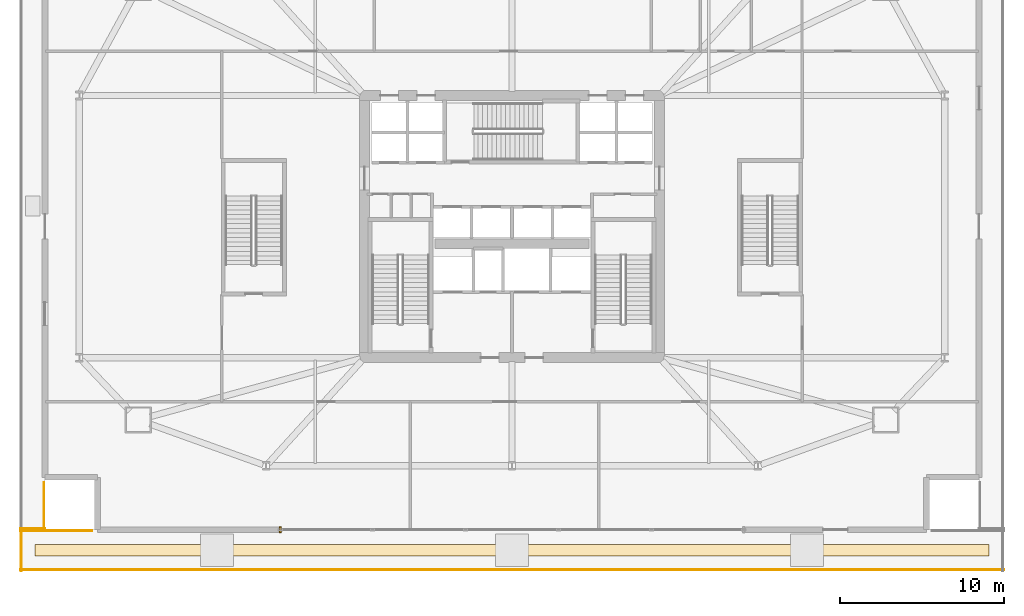
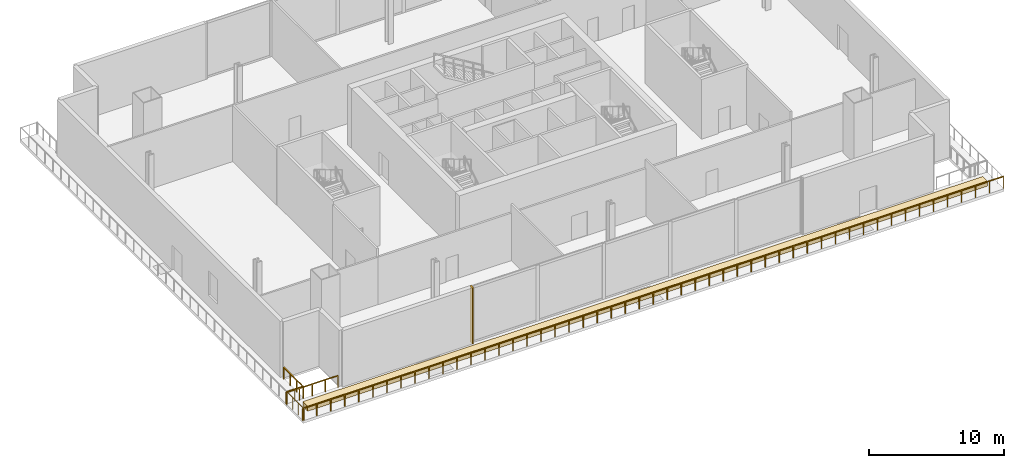
# One storey, part 15 of 20: 5 railings, 2 coverings.
"""IFC4 building model written with IfcOpenShell, lengths in metres."""

from ifc_helpers import new_model, si_unit, direction, frame, origin, origin_2d, place, context, subcontext, project, spatial, polyline, rectangle, outline, extrude, source, transform, mapped, material, layer, layer_set, type_object, element, save


model = new_model("IFC4")

# Units and contexts
model_context = context("Model", 3, precision=1e-05, world=origin(), true_north=direction((0.0, 1.0)))
body_context = subcontext(model_context, "Body", "Model", "MODEL_VIEW")
ifc_project = project(units=[si_unit("LENGTHUNIT", "METRE"), si_unit("AREAUNIT", "SQUARE_METRE"), si_unit("VOLUMEUNIT", "CUBIC_METRE"), si_unit("PLANEANGLEUNIT", "RADIAN"), si_unit("MASSUNIT", "GRAM", prefix="KILO")], contexts=[model_context])

# Site, building, storey
site_placement = place(None, origin())
site = spatial("IfcSite", under=ifc_project, at=site_placement, CompositionType="ELEMENT")
building_placement = place(site_placement, origin())
building = spatial("IfcBuilding", under=site, at=building_placement, Name="Haldenkirk Collegiate Tower", CompositionType="ELEMENT")
storey_placement = place(building_placement, frame((0.0, 0.0, 11.39990234375)))
storey = spatial("IfcBuildingStorey", under=building, at=storey_placement, Name="L02", CompositionType="ELEMENT", Elevation=11.39990234375)

# Covering
ifc_material_1 = material(Name="Precast concrete f'c 40 MPa", Category="concrete")
ifc_layer_1 = layer(ifc_material_1, 0.449951171875)
ifc_layer_set_1 = layer_set([ifc_layer_1], Name="Precast concrete f'c 40 MPa")
covering_type_1 = type_object("IfcCoveringType", Name="COV-PLANTER-450", PredefinedType="USERDEFINED", material=ifc_layer_set_1)
covering_1_placement = place(storey_placement, origin())
element("IfcCovering", 1, at=covering_1_placement, inside=storey, type_object=covering_type_1, Name="L02 planted garden planter bed", ObjectType="PLANTER", PredefinedType="USERDEFINED", context=body_context, shape_type="SweptSolid", body=[
    extrude(outline(polyline([(6.89990234375, 5.89990234375), (6.89990234375, 6.60009765625), (65.10009765625, 6.60009765625), (65.10009765625, 5.89990234375), (6.89990234375, 5.89990234375)])), origin(), (0.0, 0.0, 1.0), 0.4501953125),
])

# Railings
ifc_material_2 = material(Name="Anodised architectural bronze aluminium", Category="aluminium")
railing_type = type_object("IfcRailingType", Name="RLG-TERR-BALUSTRADE-1100", PredefinedType="BALUSTRADE", material=ifc_material_2)
railing_1_placement = place(storey_placement, frame((6.0, 5.06005859375, 0.0)))
element("IfcRailing", 2, at=railing_1_placement, inside=storey, type_object=railing_type, Name="L02 terrace guard balustrade 1-1", PredefinedType="BALUSTRADE", context=body_context, shape_type="SweptSolid", body=[
    extrude(rectangle(XDim=0.048095703125, YDim=0.048095703125, at=origin_2d()), frame((0.0, 0.0, 1.076171875), z_axis=(1.0, 0.0, 0.0), x_axis=(0.0, 1.0, 0.0)), (0.0, 0.0, 1.0), 60.0),
    extrude(rectangle(XDim=0.0419921875, YDim=0.0419921875, at=origin_2d()), origin(), (0.0, 0.0, 1.0), 1.052001953125),
    extrude(rectangle(XDim=0.0419921875, YDim=0.0419921875, at=origin_2d()), frame((1.199951171875, 0.0, 0.0)), (0.0, 0.0, 1.0), 1.052001953125),
    extrude(rectangle(XDim=0.0419921875, YDim=0.0419921875, at=origin_2d()), frame((2.39990234375, 0.0, 0.0)), (0.0, 0.0, 1.0), 1.052001953125),
    extrude(rectangle(XDim=0.0419921875, YDim=0.0419921875, at=origin_2d()), frame((3.60009765625, 0.0, 0.0)), (0.0, 0.0, 1.0), 1.052001953125),
    extrude(rectangle(XDim=0.0419921875, YDim=0.0419921875, at=origin_2d()), frame((4.800048828125, 0.0, 0.0)), (0.0, 0.0, 1.0), 1.052001953125),
    extrude(rectangle(XDim=0.0419921875, YDim=0.0419921875, at=origin_2d()), frame((6.0, 0.0, 0.0)), (0.0, 0.0, 1.0), 1.052001953125),
    extrude(rectangle(XDim=0.0419921875, YDim=0.0419921875, at=origin_2d()), frame((7.199951171875, 0.0, 0.0)), (0.0, 0.0, 1.0), 1.052001953125),
    extrude(rectangle(XDim=0.0419921875, YDim=0.0419921875, at=origin_2d()), frame((8.39990234375, 0.0, 0.0)), (0.0, 0.0, 1.0), 1.052001953125),
    extrude(rectangle(XDim=0.0419921875, YDim=0.0419921875, at=origin_2d()), frame((9.60009765625, 0.0, 0.0)), (0.0, 0.0, 1.0), 1.052001953125),
    extrude(rectangle(XDim=0.0419921875, YDim=0.0419921875, at=origin_2d()), frame((10.800048828125, 0.0, 0.0)), (0.0, 0.0, 1.0), 1.052001953125),
    extrude(rectangle(XDim=0.0419921875, YDim=0.0419921875, at=origin_2d()), frame((12.0, 0.0, 0.0)), (0.0, 0.0, 1.0), 1.052001953125),
    extrude(rectangle(XDim=0.0419921875, YDim=0.0419921875, at=origin_2d()), frame((13.199951171875, 0.0, 0.0)), (0.0, 0.0, 1.0), 1.052001953125),
    extrude(rectangle(XDim=0.0419921875, YDim=0.0419921875, at=origin_2d()), frame((14.39990234375, 0.0, 0.0)), (0.0, 0.0, 1.0), 1.052001953125),
    extrude(rectangle(XDim=0.0419921875, YDim=0.0419921875, at=origin_2d()), frame((15.60009765625, 0.0, 0.0)), (0.0, 0.0, 1.0), 1.052001953125),
    extrude(rectangle(XDim=0.0419921875, YDim=0.0419921875, at=origin_2d()), frame((16.800048828125, 0.0, 0.0)), (0.0, 0.0, 1.0), 1.052001953125),
    extrude(rectangle(XDim=0.0419921875, YDim=0.0419921875, at=origin_2d()), frame((18.0, 0.0, 0.0)), (0.0, 0.0, 1.0), 1.052001953125),
    extrude(rectangle(XDim=0.0419921875, YDim=0.0419921875, at=origin_2d()), frame((19.199951171875, 0.0, 0.0)), (0.0, 0.0, 1.0), 1.052001953125),
    extrude(rectangle(XDim=0.0419921875, YDim=0.0419921875, at=origin_2d()), frame((20.39990234375, 0.0, 0.0)), (0.0, 0.0, 1.0), 1.052001953125),
    extrude(rectangle(XDim=0.0419921875, YDim=0.0419921875, at=origin_2d()), frame((21.60009765625, 0.0, 0.0)), (0.0, 0.0, 1.0), 1.052001953125),
    extrude(rectangle(XDim=0.0419921875, YDim=0.0419921875, at=origin_2d()), frame((22.800048828125, 0.0, 0.0)), (0.0, 0.0, 1.0), 1.052001953125),
    extrude(rectangle(XDim=0.0419921875, YDim=0.0419921875, at=origin_2d()), frame((24.0, 0.0, 0.0)), (0.0, 0.0, 1.0), 1.052001953125),
    extrude(rectangle(XDim=0.0419921875, YDim=0.0419921875, at=origin_2d()), frame((25.199951171875, 0.0, 0.0)), (0.0, 0.0, 1.0), 1.052001953125),
    extrude(rectangle(XDim=0.0419921875, YDim=0.0419921875, at=origin_2d()), frame((26.39990234375, 0.0, 0.0)), (0.0, 0.0, 1.0), 1.052001953125),
    extrude(rectangle(XDim=0.0419921875, YDim=0.0419921875, at=origin_2d()), frame((27.60009765625, 0.0, 0.0)), (0.0, 0.0, 1.0), 1.052001953125),
    extrude(rectangle(XDim=0.0419921875, YDim=0.0419921875, at=origin_2d()), frame((28.800048828125, 0.0, 0.0)), (0.0, 0.0, 1.0), 1.052001953125),
    extrude(rectangle(XDim=0.0419921875, YDim=0.0419921875, at=origin_2d()), frame((30.0, 0.0, 0.0)), (0.0, 0.0, 1.0), 1.052001953125),
    extrude(rectangle(XDim=0.0419921875, YDim=0.0419921875, at=origin_2d()), frame((31.199951171875, 0.0, 0.0)), (0.0, 0.0, 1.0), 1.052001953125),
    extrude(rectangle(XDim=0.0419921875, YDim=0.0419921875, at=origin_2d()), frame((32.39990234375, 0.0, 0.0)), (0.0, 0.0, 1.0), 1.052001953125),
    extrude(rectangle(XDim=0.0419921875, YDim=0.0419921875, at=origin_2d()), frame((33.60009765625, 0.0, 0.0)), (0.0, 0.0, 1.0), 1.052001953125),
    extrude(rectangle(XDim=0.0419921875, YDim=0.0419921875, at=origin_2d()), frame((34.800048828125, 0.0, 0.0)), (0.0, 0.0, 1.0), 1.052001953125),
    extrude(rectangle(XDim=0.0419921875, YDim=0.0419921875, at=origin_2d()), frame((36.0, 0.0, 0.0)), (0.0, 0.0, 1.0), 1.052001953125),
    extrude(rectangle(XDim=0.0419921875, YDim=0.0419921875, at=origin_2d()), frame((37.199951171875, 0.0, 0.0)), (0.0, 0.0, 1.0), 1.052001953125),
    extrude(rectangle(XDim=0.0419921875, YDim=0.0419921875, at=origin_2d()), frame((38.39990234375, 0.0, 0.0)), (0.0, 0.0, 1.0), 1.052001953125),
    extrude(rectangle(XDim=0.0419921875, YDim=0.0419921875, at=origin_2d()), frame((39.60009765625, 0.0, 0.0)), (0.0, 0.0, 1.0), 1.052001953125),
    extrude(rectangle(XDim=0.0419921875, YDim=0.0419921875, at=origin_2d()), frame((40.800048828125, 0.0, 0.0)), (0.0, 0.0, 1.0), 1.052001953125),
    extrude(rectangle(XDim=0.0419921875, YDim=0.0419921875, at=origin_2d()), frame((42.0, 0.0, 0.0)), (0.0, 0.0, 1.0), 1.052001953125),
    extrude(rectangle(XDim=0.0419921875, YDim=0.0419921875, at=origin_2d()), frame((43.199951171875, 0.0, 0.0)), (0.0, 0.0, 1.0), 1.052001953125),
    extrude(rectangle(XDim=0.0419921875, YDim=0.0419921875, at=origin_2d()), frame((44.39990234375, 0.0, 0.0)), (0.0, 0.0, 1.0), 1.052001953125),
    extrude(rectangle(XDim=0.0419921875, YDim=0.0419921875, at=origin_2d()), frame((45.60009765625, 0.0, 0.0)), (0.0, 0.0, 1.0), 1.052001953125),
    extrude(rectangle(XDim=0.0419921875, YDim=0.0419921875, at=origin_2d()), frame((46.800048828125, 0.0, 0.0)), (0.0, 0.0, 1.0), 1.052001953125),
    extrude(rectangle(XDim=0.0419921875, YDim=0.0419921875, at=origin_2d()), frame((48.0, 0.0, 0.0)), (0.0, 0.0, 1.0), 1.052001953125),
    extrude(rectangle(XDim=0.0419921875, YDim=0.0419921875, at=origin_2d()), frame((49.199951171875, 0.0, 0.0)), (0.0, 0.0, 1.0), 1.052001953125),
    extrude(rectangle(XDim=0.0419921875, YDim=0.0419921875, at=origin_2d()), frame((50.39990234375, 0.0, 0.0)), (0.0, 0.0, 1.0), 1.052001953125),
    extrude(rectangle(XDim=0.0419921875, YDim=0.0419921875, at=origin_2d()), frame((51.60009765625, 0.0, 0.0)), (0.0, 0.0, 1.0), 1.052001953125),
    extrude(rectangle(XDim=0.0419921875, YDim=0.0419921875, at=origin_2d()), frame((52.800048828125, 0.0, 0.0)), (0.0, 0.0, 1.0), 1.052001953125),
    extrude(rectangle(XDim=0.0419921875, YDim=0.0419921875, at=origin_2d()), frame((54.0, 0.0, 0.0)), (0.0, 0.0, 1.0), 1.052001953125),
    extrude(rectangle(XDim=0.0419921875, YDim=0.0419921875, at=origin_2d()), frame((55.199951171875, 0.0, 0.0)), (0.0, 0.0, 1.0), 1.052001953125),
    extrude(rectangle(XDim=0.0419921875, YDim=0.0419921875, at=origin_2d()), frame((56.39990234375, 0.0, 0.0)), (0.0, 0.0, 1.0), 1.052001953125),
    extrude(rectangle(XDim=0.0419921875, YDim=0.0419921875, at=origin_2d()), frame((57.60009765625, 0.0, 0.0)), (0.0, 0.0, 1.0), 1.052001953125),
    extrude(rectangle(XDim=0.0419921875, YDim=0.0419921875, at=origin_2d()), frame((58.800048828125, 0.0, 0.0)), (0.0, 0.0, 1.0), 1.052001953125),
    extrude(rectangle(XDim=0.0419921875, YDim=0.0419921875, at=origin_2d()), frame((60.0, 0.0, 0.0)), (0.0, 0.0, 1.0), 1.052001953125),
])
railing_2_placement = place(storey_placement, frame((10.3798828125, 7.43994140625, 0.0)))
element("IfcRailing", 3, at=railing_2_placement, inside=storey, type_object=railing_type, Name="L02 terrace guard balustrade 3-2", PredefinedType="BALUSTRADE", context=body_context, shape_type="SweptSolid", body=[
    extrude(rectangle(XDim=0.048095703125, YDim=0.048095703125, at=origin_2d()), frame((0.0, 0.0, 1.076171875), z_axis=(-1.0, 0.0, 0.0), x_axis=(0.0, -1.0, 0.0)), (0.0, 0.0, 1.0), 4.3798828125),
    extrude(rectangle(XDim=0.0419921875, YDim=0.0419921875, at=origin_2d()), origin(), (0.0, 0.0, 1.0), 1.052001953125),
    extrude(rectangle(XDim=0.0419921875, YDim=0.0419921875, at=origin_2d()), frame((-1.094970703125, 0.0, 0.0)), (0.0, 0.0, 1.0), 1.052001953125),
    extrude(rectangle(XDim=0.0419921875, YDim=0.0419921875, at=origin_2d()), frame((-2.18994140625, 0.0, 0.0)), (0.0, 0.0, 1.0), 1.052001953125),
    extrude(rectangle(XDim=0.0419921875, YDim=0.0419921875, at=origin_2d()), frame((-3.284912109375, 0.0, 0.0)), (0.0, 0.0, 1.0), 1.052001953125),
    extrude(rectangle(XDim=0.0419921875, YDim=0.0419921875, at=origin_2d()), frame((-4.3798828125, 0.0, 0.0)), (0.0, 0.0, 1.0), 1.052001953125),
])
railing_3_placement = place(storey_placement, frame((6.06005859375, 7.5, 0.0)))
element("IfcRailing", 4, at=railing_3_placement, inside=storey, type_object=railing_type, Name="L02 terrace guard balustrade 4-1", PredefinedType="BALUSTRADE", context=body_context, shape_type="SweptSolid", body=[
    extrude(rectangle(XDim=0.048095703125, YDim=0.048095703125, at=origin_2d()), frame((0.0, 0.0, 1.076171875), z_axis=(0.0, -1.0, 0.0), x_axis=(1.0, 0.0, 0.0)), (0.0, 0.0, 1.0), 2.5),
    extrude(rectangle(XDim=0.0419921875, YDim=0.0419921875, at=origin_2d()), origin(), (0.0, 0.0, 1.0), 1.052001953125),
    extrude(rectangle(XDim=0.0419921875, YDim=0.0419921875, at=origin_2d()), frame((0.0, -0.833251953125, 0.0)), (0.0, 0.0, 1.0), 1.052001953125),
    extrude(rectangle(XDim=0.0419921875, YDim=0.0419921875, at=origin_2d()), frame((0.0, -1.666748046875, 0.0)), (0.0, 0.0, 1.0), 1.052001953125),
    extrude(rectangle(XDim=0.0419921875, YDim=0.0419921875, at=origin_2d()), frame((0.0, -2.5, 0.0)), (0.0, 0.0, 1.0), 1.052001953125),
])
railing_4_placement = place(storey_placement, frame((6.0, 7.56005859375, 0.0)))
element("IfcRailing", 5, at=railing_4_placement, inside=storey, type_object=railing_type, Name="L02 terrace guard balustrade 1-1", PredefinedType="BALUSTRADE", context=body_context, shape_type="SweptSolid", body=[
    extrude(rectangle(XDim=0.048095703125, YDim=0.048095703125, at=origin_2d()), frame((0.0, 0.0, 1.076171875), z_axis=(1.0, 0.0, 0.0), x_axis=(0.0, 1.0, 0.0)), (0.0, 0.0, 1.0), 1.5),
    extrude(rectangle(XDim=0.0419921875, YDim=0.0419921875, at=origin_2d()), origin(), (0.0, 0.0, 1.0), 1.052001953125),
    extrude(rectangle(XDim=0.0419921875, YDim=0.0419921875, at=origin_2d()), frame((0.75, 0.0, 0.0)), (0.0, 0.0, 1.0), 1.052001953125),
    extrude(rectangle(XDim=0.0419921875, YDim=0.0419921875, at=origin_2d()), frame((1.5, 0.0, 0.0)), (0.0, 0.0, 1.0), 1.052001953125),
])
railing_5_placement = place(storey_placement, frame((7.43994140625, 7.5, 0.0)))
element("IfcRailing", 6, at=railing_5_placement, inside=storey, type_object=railing_type, Name="L02 terrace guard balustrade 2-1", PredefinedType="BALUSTRADE", context=body_context, shape_type="SweptSolid", body=[
    extrude(rectangle(XDim=0.048095703125, YDim=0.048095703125, at=origin_2d()), frame((0.0, 0.0, 1.076171875), z_axis=(0.0, 1.0, 0.0), x_axis=(-1.0, 0.0, 0.0)), (0.0, 0.0, 1.0), 2.8798828125),
    extrude(rectangle(XDim=0.0419921875, YDim=0.0419921875, at=origin_2d()), origin(), (0.0, 0.0, 1.0), 1.052001953125),
    extrude(rectangle(XDim=0.0419921875, YDim=0.0419921875, at=origin_2d()), frame((0.0, 0.9599609375, 0.0)), (0.0, 0.0, 1.0), 1.052001953125),
    extrude(rectangle(XDim=0.0419921875, YDim=0.0419921875, at=origin_2d()), frame((0.0, 1.919921875, 0.0)), (0.0, 0.0, 1.0), 1.052001953125),
    extrude(rectangle(XDim=0.0419921875, YDim=0.0419921875, at=origin_2d()), frame((0.0, 2.8798828125, 0.0)), (0.0, 0.0, 1.0), 1.052001953125),
])

# Covering
ifc_layer_2 = layer(ifc_material_2, 0.06005859375)
ifc_layer_set_2 = layer_set([ifc_layer_2], Name="Anodised architectural bronze aluminium")
covering_type_2 = type_object("IfcCoveringType", Name="COV-CLAD-BRONZE-60", PredefinedType="CLADDING", material=ifc_layer_set_2)
shared_shape = source(origin(), body_context, "Body", "SweptSolid", [
    extrude(rectangle(XDim=0.1201171875, YDim=0.360107421875, at=origin_2d()), origin(), (0.0, 0.0, 1.0), 5.070068359375),
])
covering_2_placement = place(storey_placement, frame((21.8720703125, 7.5, 0.0), z_axis=(0.0, 0.0, 1.0), x_axis=(-1.0, 0.0, 0.0)))
element("IfcCovering", 7, at=covering_2_placement, inside=storey, type_object=covering_type_2, Name="L02 podium curtain-wall bronze jamb closure 1JR", PredefinedType="CLADDING", context=body_context, shape_type="MappedRepresentation", body=[
    mapped(shared_shape, transform((0.0, 0.0, 0.0), x_axis=(1.0, 0.0, 0.0), y_axis=(0.0, 1.0, 0.0), z_axis=(0.0, 0.0, 1.0), scale=1.0)),
])

save(model, "model.ifc")
